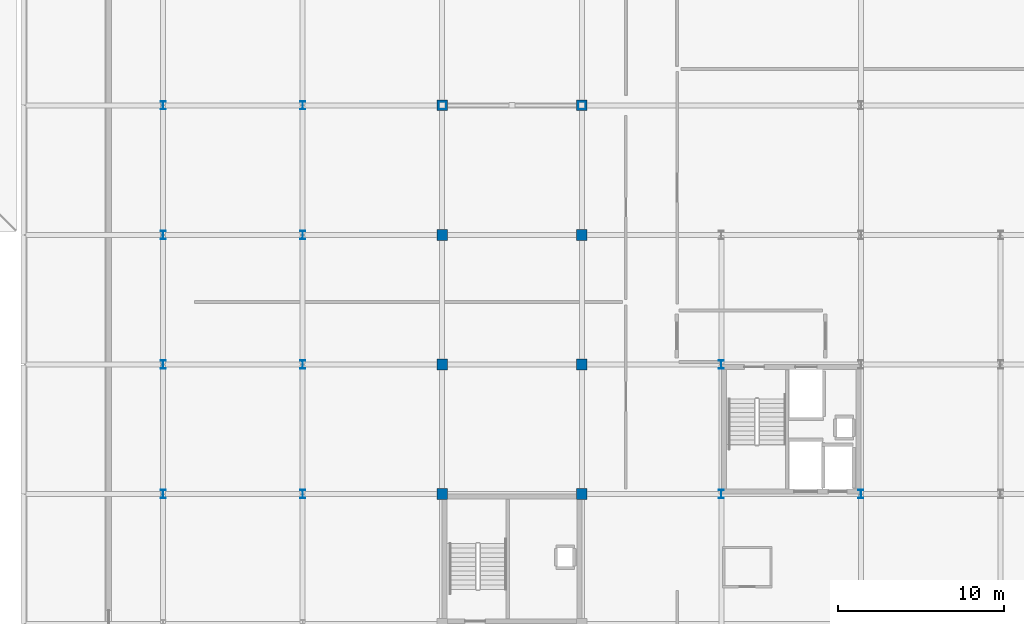
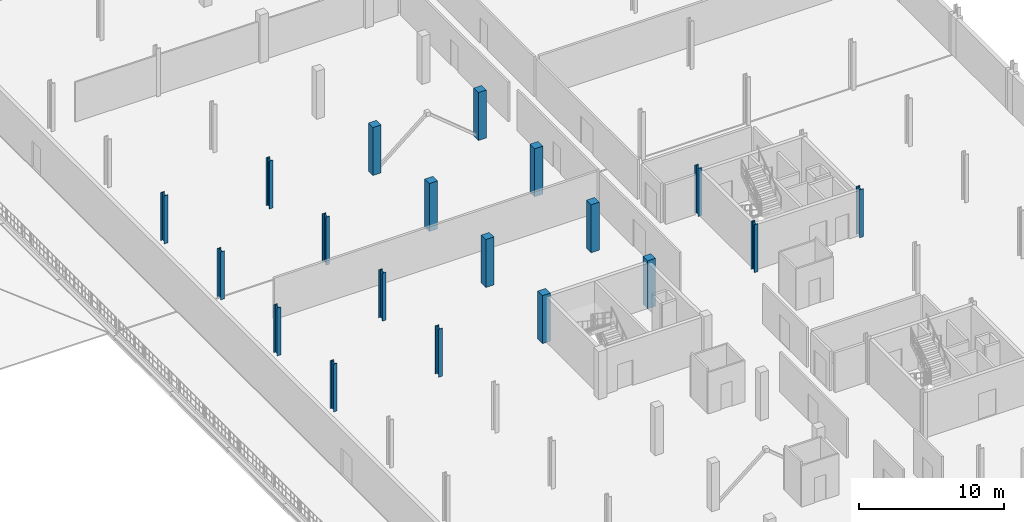
# One storey, part 14 of 77: 19 columns.
"""IFC4 building model written with IfcOpenShell, lengths in metres."""

from ifc_helpers import new_model, si_unit, direction, frame, origin, origin_2d, place, context, subcontext, project, spatial, rectangle, i_section, extrude, material, material_profile, profile_set, type_object, element, save


model = new_model("IFC4")

# Units and contexts
model_context = context("Model", 3, precision=1e-05, world=origin(), true_north=direction((0.0, 1.0)))
body_context = subcontext(model_context, "Body", "Model", "MODEL_VIEW")
ifc_project = project(units=[si_unit("LENGTHUNIT", "METRE"), si_unit("AREAUNIT", "SQUARE_METRE"), si_unit("VOLUMEUNIT", "CUBIC_METRE"), si_unit("PLANEANGLEUNIT", "RADIAN"), si_unit("MASSUNIT", "GRAM", prefix="KILO")], contexts=[model_context])

# Site, building, storey
site_placement = place(None, origin())
site = spatial("IfcSite", under=ifc_project, at=site_placement, CompositionType="ELEMENT")
building_placement = place(site_placement, origin())
building = spatial("IfcBuilding", under=site, at=building_placement, Name="Nabrawat Pavilion Hospital", CompositionType="ELEMENT")
storey_placement = place(building_placement, frame((0.0, 0.0, 14.85009765625)))
storey = spatial("IfcBuildingStorey", under=building, at=storey_placement, Name="L03", CompositionType="ELEMENT", Elevation=14.85009765625)

# Columns
ifc_material_1 = material(Name="Steel S355", Category="steel")
ifc_material_profile_1 = material_profile(ifc_material_1, i_section(OverallWidth=0.300048828125, OverallDepth=0.5, WebThickness=0.014404296875, FlangeThickness=0.028076171875, FilletRadius=0.027099609375, at=origin_2d()), Name="HEB 500")
ifc_profile_set_1 = profile_set([ifc_material_profile_1], Name="Steel S355")
column_type_1 = type_object("IfcColumnType", Name="Composite Steel Column HEB 500", PredefinedType="COLUMN", material=ifc_profile_set_1)
for number, where, z_axis, x_axis, name in (
    (1, (134.39990234375, 70.199951171875, 0.0), (0.0, 0.0, 1.0), (1.0, 0.0, 0.0), "L03 Structural Column G-17-K"),
    (2, (134.39990234375, 78.0, 0.0), (0.0, 0.0, 1.0), (1.0, 0.0, 0.0), "L03 Structural Column G-17-L"),
    (3, (134.39990234375, 85.800048828125, 0.0), (0.0, 0.0, 1.0), (1.0, 0.0, 0.0), "L03 Structural Column G-17-M1"),
    (4, (134.39990234375, 93.60009765625, 0.0), (0.0, 0.0, 1.0), (1.0, 0.0, 0.0), "L03 Structural Column G-17-N"),
    (5, (142.800048828125, 70.199951171875, 0.0), (0.0, 0.0, 1.0), (1.0, 0.0, 0.0), "L03 Structural Column G-18-K"),
    (6, (142.800048828125, 78.0, 0.0), (0.0, 0.0, 1.0), (1.0, 0.0, 0.0), "L03 Structural Column G-18-L"),
    (7, (142.800048828125, 85.800048828125, 0.0), (0.0, 0.0, 1.0), (1.0, 0.0, 0.0), "L03 Structural Column G-18-M1"),
    (8, (142.800048828125, 93.60009765625, 0.0), (0.0, 0.0, 1.0), (1.0, 0.0, 0.0), "L03 Structural Column G-18-N"),
    (9, (168.0, 70.199951171875, 0.0), (0.0, 0.0, 1.0), (1.0, 0.0, 0.0), "L03 Structural Column G-21-K"),
    (10, (168.0, 78.0, 0.0), (0.0, 0.0, 1.0), (1.0, 0.0, 0.0), "L03 Structural Column G-21-L"),
    (11, (176.39990234375, 70.199951171875, 0.0), (0.0, 0.0, 1.0), (1.0, 0.0, 0.0), "L03 Structural Column G-22-K"),
):
    element("IfcColumn", number, at=place(storey_placement, frame(where, z_axis=z_axis, x_axis=x_axis)), inside=storey, type_object=column_type_1, Name=name, PredefinedType="COLUMN", context=body_context, shape_type="SweptSolid", body=[
        extrude(i_section(OverallWidth=0.300048828125, OverallDepth=0.5, WebThickness=0.014404296875, FlangeThickness=0.028076171875, FilletRadius=0.027099609375, at=origin_2d()), origin(), (0.0, 0.0, 1.0), 4.0498046875),
    ])
ifc_material_2 = material(Name="Concrete C40/50", Category="concrete")
ifc_material_profile_2 = material_profile(ifc_material_2, rectangle(XDim=0.64990234375, YDim=0.64990234375, at=origin_2d()), Name="RC 650x650")
ifc_profile_set_2 = profile_set([ifc_material_profile_2], Name="Concrete C40/50")
column_type_2 = type_object("IfcColumnType", Name="Outpatient RC Column 650x650", PredefinedType="COLUMN", material=ifc_profile_set_2)
for number, where, z_axis, x_axis, name in (
    (12, (151.199951171875, 70.199951171875, 0.0), (0.0, 0.0, 1.0), (1.0, 0.0, 0.0), "L03 Structural Column G-19-K"),
    (13, (151.199951171875, 78.0, 0.0), (0.0, 0.0, 1.0), (1.0, 0.0, 0.0), "L03 Structural Column G-19-L"),
    (14, (151.199951171875, 85.800048828125, 0.0), (0.0, 0.0, 1.0), (1.0, 0.0, 0.0), "L03 Structural Column G-19-M1"),
    (15, (151.199951171875, 93.60009765625, 0.0), (0.0, 0.0, 1.0), (1.0, 0.0, 0.0), "L03 Structural Column G-19-N"),
    (16, (159.60009765625, 70.199951171875, 0.0), (0.0, 0.0, 1.0), (1.0, 0.0, 0.0), "L03 Structural Column G-20-K"),
    (17, (159.60009765625, 78.0, 0.0), (0.0, 0.0, 1.0), (1.0, 0.0, 0.0), "L03 Structural Column G-20-L"),
    (18, (159.60009765625, 85.800048828125, 0.0), (0.0, 0.0, 1.0), (1.0, 0.0, 0.0), "L03 Structural Column G-20-M1"),
    (19, (159.60009765625, 93.60009765625, 0.0), (0.0, 0.0, 1.0), (1.0, 0.0, 0.0), "L03 Structural Column G-20-N"),
):
    element("IfcColumn", number, at=place(storey_placement, frame(where, z_axis=z_axis, x_axis=x_axis)), inside=storey, type_object=column_type_2, Name=name, PredefinedType="COLUMN", context=body_context, shape_type="SweptSolid", body=[
        extrude(rectangle(XDim=0.64990234375, YDim=0.64990234375, at=origin_2d()), origin(), (0.0, 0.0, 1.0), 4.0498046875),
    ])

save(model, "model.ifc")
